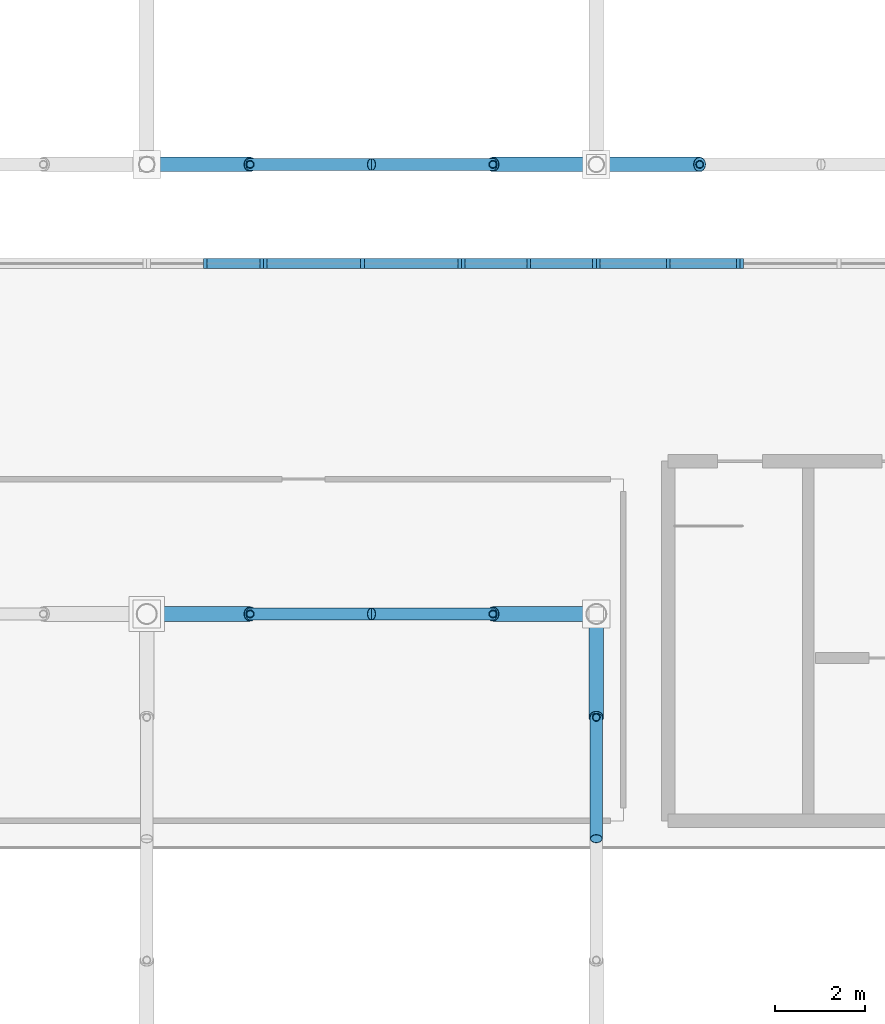
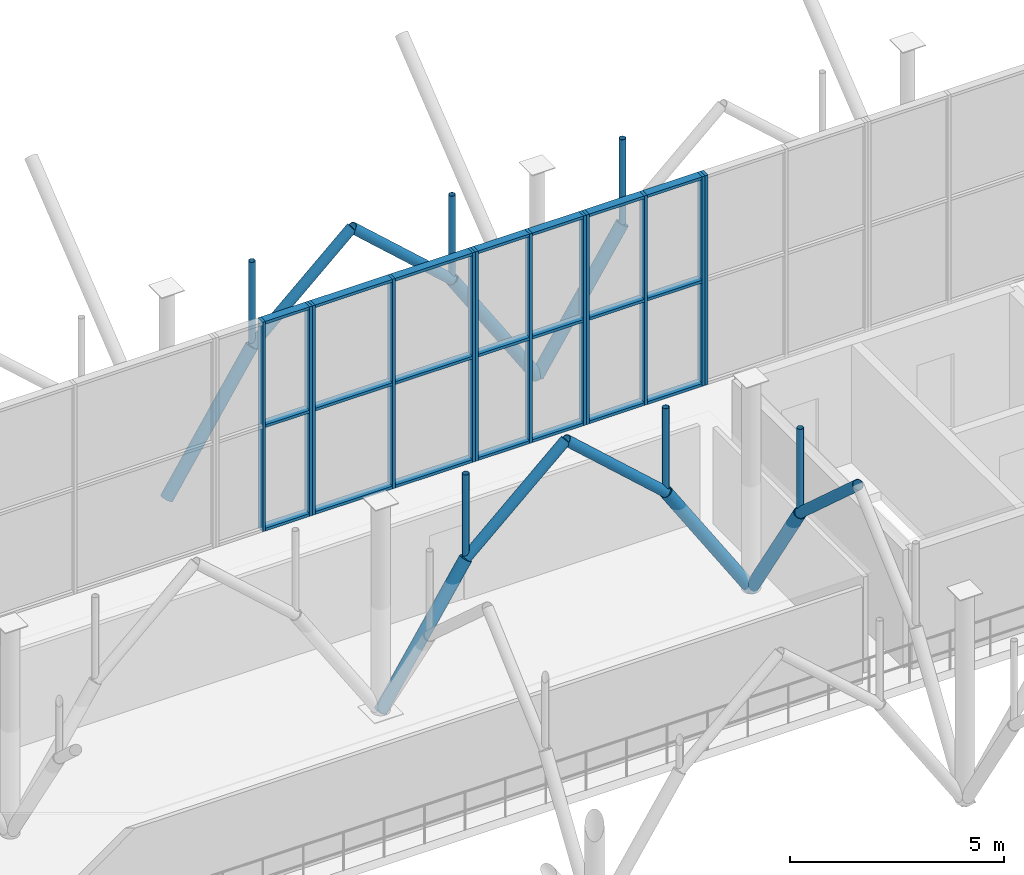
# One storey, part 75 of 109: 50 members, 5 elements without a shape of their own.
"""IFC4 building model written with IfcOpenShell, lengths in metres."""

from ifc_helpers import new_model, si_unit, derived_unit, direction, frame, origin, origin_2d_with_axis, place, context, subcontext, project, spatial, rectangle, hollow_circle, extrude, material, material_profile, profile_set, type_object, element, aggregate, save


model = new_model("IFC4")

# Units and contexts
model_context = context("Model", 3, precision=1e-05, world=origin(), true_north=direction((0.0, 1.0)))
body_context = subcontext(model_context, "Body", "Model", "MODEL_VIEW")
ifc_project = project(units=[si_unit("LENGTHUNIT", "METRE"), si_unit("AREAUNIT", "SQUARE_METRE"), si_unit("VOLUMEUNIT", "CUBIC_METRE"), si_unit("PLANEANGLEUNIT", "RADIAN"), si_unit("MASSUNIT", "GRAM", prefix="KILO"), derived_unit("THERMALTRANSMITTANCEUNIT", [(si_unit("POWERUNIT", "WATT"), 1), (si_unit("LENGTHUNIT", "METRE"), -2), (si_unit("THERMODYNAMICTEMPERATUREUNIT", "KELVIN"), -1)])], contexts=[model_context])

# Site, building, storey
site_placement = place(None, origin())
site = spatial("IfcSite", under=ifc_project, at=site_placement, CompositionType="ELEMENT")
building_placement = place(site_placement, origin())
building = spatial("IfcBuilding", under=site, at=building_placement, Name="Cinnabar Yard Market Hall", CompositionType="ELEMENT")
storey_placement = place(building_placement, frame((0.0, 0.0, 8.39990234375)))
storey = spatial("IfcBuildingStorey", under=building, at=storey_placement, Name="L02", CompositionType="ELEMENT", Elevation=8.39990234375)

# Curtain wall, members
ifc_material_1 = material(Name="Anodised bronze aluminium and low-E glass", Category="aluminium")
curtain_wall_type_1 = type_object("IfcCurtainWallType", Name="CW-CWH026x60", PredefinedType="NOTDEFINED", material=ifc_material_1)
curtain_wall_1_placement = place(storey_placement, origin())
curtain_wall_1 = element("IfcCurtainWall", 1, at=curtain_wall_1_placement, inside=storey, type_object=curtain_wall_type_1, Name="Market Hall North Upper Clerestory B5A", PredefinedType="NOTDEFINED")
ifc_material_2 = material(Name="Anodised bronze aluminium", Category="aluminium")
ifc_material_profile_1 = material_profile(ifc_material_2, rectangle(XDim=0.219970703125, YDim=0.080078125, at=origin_2d_with_axis()), Name="MUL-CWH")
ifc_profile_set_1 = profile_set([ifc_material_profile_1], Name="Anodised bronze aluminium")
member_type_1 = type_object("IfcMemberType", Name="CWM-CWH", PredefinedType="MULLION", material=ifc_profile_set_1)
member_1_placement = place(storey_placement, frame((128.56005859375, 71.800048828125, 0.0), z_axis=(0.0, 0.0, 1.0), x_axis=(0.0, -1.0, 0.0)))
member_1 = element("IfcMember", 2, at=member_1_placement, type_object=member_type_1, Name="CWH026x60 mullion 1", PredefinedType="MULLION", context=body_context, shape_type="SweptSolid", body=[
    extrude(rectangle(XDim=0.219970703125, YDim=0.080078125, at=origin_2d_with_axis()), origin(), (0.0, 0.0, 1.0), 5.97998046875),
])
member_2_placement = place(storey_placement, frame((127.300048828125, 71.800048828125, 0.0), z_axis=(0.0, 0.0, 1.0), x_axis=(0.0, -1.0, 0.0)))
member_2 = element("IfcMember", 3, at=member_2_placement, type_object=member_type_1, Name="CWH026x60 mullion 2", PredefinedType="MULLION", context=body_context, shape_type="SweptSolid", body=[
    extrude(rectangle(XDim=0.219970703125, YDim=0.080078125, at=origin_2d_with_axis()), origin(), (0.0, 0.0, 1.0), 5.97998046875),
])

curtain_wall_type_2 = type_object("IfcCurtainWallType", Name="CW-CWH044x60", PredefinedType="NOTDEFINED", material=ifc_material_1)
curtain_wall_2_placement = place(storey_placement, origin())
curtain_wall_2 = element("IfcCurtainWall", 4, at=curtain_wall_2_placement, inside=storey, type_object=curtain_wall_type_2, Name="Market Hall North Upper Clerestory PTB5", PredefinedType="NOTDEFINED")
member_3_placement = place(storey_placement, frame((132.9599609375, 71.800048828125, 0.0), z_axis=(0.0, 0.0, 1.0), x_axis=(0.0, -1.0, 0.0)))
member_3 = element("IfcMember", 5, at=member_3_placement, type_object=member_type_1, Name="CWH044x60 mullion 1", PredefinedType="MULLION", context=body_context, shape_type="SweptSolid", body=[
    extrude(rectangle(XDim=0.219970703125, YDim=0.080078125, at=origin_2d_with_axis()), origin(), (0.0, 0.0, 1.0), 5.97998046875),
])
member_4_placement = place(storey_placement, frame((130.800048828125, 71.800048828125, 0.0), z_axis=(0.0, 0.0, 1.0), x_axis=(0.0, -1.0, 0.0)))
member_4 = element("IfcMember", 6, at=member_4_placement, type_object=member_type_1, Name="CWH044x60 mullion 2", PredefinedType="MULLION", context=body_context, shape_type="SweptSolid", body=[
    extrude(rectangle(XDim=0.219970703125, YDim=0.080078125, at=origin_2d_with_axis()), origin(), (0.0, 0.0, 1.0), 5.97998046875),
])
member_5_placement = place(storey_placement, frame((128.639892578125, 71.800048828125, 0.0), z_axis=(0.0, 0.0, 1.0), x_axis=(0.0, -1.0, 0.0)))
member_5 = element("IfcMember", 7, at=member_5_placement, type_object=member_type_1, Name="CWH044x60 mullion 3", PredefinedType="MULLION", context=body_context, shape_type="SweptSolid", body=[
    extrude(rectangle(XDim=0.219970703125, YDim=0.080078125, at=origin_2d_with_axis()), origin(), (0.0, 0.0, 1.0), 5.97998046875),
])

curtain_wall_type_3 = type_object("IfcCurtainWallType", Name="CW-CWH030x60", PredefinedType="NOTDEFINED", material=ifc_material_1)
curtain_wall_3_placement = place(storey_placement, origin())
curtain_wall_3 = element("IfcCurtainWall", 8, at=curtain_wall_3_placement, inside=storey, type_object=curtain_wall_type_3, Name="Market Hall North Upper Clerestory B5B", PredefinedType="NOTDEFINED")
member_6_placement = place(storey_placement, frame((135.9599609375, 71.800048828125, 0.0), z_axis=(0.0, 0.0, 1.0), x_axis=(0.0, -1.0, 0.0)))
member_6 = element("IfcMember", 9, at=member_6_placement, type_object=member_type_1, Name="CWH030x60 mullion 1", PredefinedType="MULLION", context=body_context, shape_type="SweptSolid", body=[
    extrude(rectangle(XDim=0.219970703125, YDim=0.080078125, at=origin_2d_with_axis()), origin(), (0.0, 0.0, 1.0), 5.97998046875),
])
member_7_placement = place(storey_placement, frame((134.5, 71.800048828125, 0.0), z_axis=(0.0, 0.0, 1.0), x_axis=(0.0, -1.0, 0.0)))
member_7 = element("IfcMember", 10, at=member_7_placement, type_object=member_type_1, Name="CWH030x60 mullion 2", PredefinedType="MULLION", context=body_context, shape_type="SweptSolid", body=[
    extrude(rectangle(XDim=0.219970703125, YDim=0.080078125, at=origin_2d_with_axis()), origin(), (0.0, 0.0, 1.0), 5.97998046875),
])
member_8_placement = place(storey_placement, frame((133.0400390625, 71.800048828125, 0.0), z_axis=(0.0, 0.0, 1.0), x_axis=(0.0, -1.0, 0.0)))
member_8 = element("IfcMember", 11, at=member_8_placement, type_object=member_type_1, Name="CWH030x60 mullion 3", PredefinedType="MULLION", context=body_context, shape_type="SweptSolid", body=[
    extrude(rectangle(XDim=0.219970703125, YDim=0.080078125, at=origin_2d_with_axis()), origin(), (0.0, 0.0, 1.0), 5.97998046875),
])

curtain_wall_type_4 = type_object("IfcCurtainWallType", Name="CW-CWH032x60", PredefinedType="NOTDEFINED", material=ifc_material_1)
curtain_wall_4_placement = place(storey_placement, origin())
curtain_wall_4 = element("IfcCurtainWall", 12, at=curtain_wall_4_placement, inside=storey, type_object=curtain_wall_type_4, Name="Market Hall North Upper Clerestory B6A", PredefinedType="NOTDEFINED")
member_9_placement = place(storey_placement, frame((139.159912109375, 71.800048828125, 0.0), z_axis=(0.0, 0.0, 1.0), x_axis=(0.0, -1.0, 0.0)))
member_9 = element("IfcMember", 13, at=member_9_placement, type_object=member_type_1, Name="CWH032x60 mullion 1", PredefinedType="MULLION", context=body_context, shape_type="SweptSolid", body=[
    extrude(rectangle(XDim=0.219970703125, YDim=0.080078125, at=origin_2d_with_axis()), origin(), (0.0, 0.0, 1.0), 5.97998046875),
])
member_10_placement = place(storey_placement, frame((137.60009765625, 71.800048828125, 0.0), z_axis=(0.0, 0.0, 1.0), x_axis=(0.0, -1.0, 0.0)))
member_10 = element("IfcMember", 14, at=member_10_placement, type_object=member_type_1, Name="CWH032x60 mullion 2", PredefinedType="MULLION", context=body_context, shape_type="SweptSolid", body=[
    extrude(rectangle(XDim=0.219970703125, YDim=0.080078125, at=origin_2d_with_axis()), origin(), (0.0, 0.0, 1.0), 5.97998046875),
])
member_11_placement = place(storey_placement, frame((136.0400390625, 71.800048828125, 0.0), z_axis=(0.0, 0.0, 1.0), x_axis=(0.0, -1.0, 0.0)))
member_11 = element("IfcMember", 15, at=member_11_placement, type_object=member_type_1, Name="CWH032x60 mullion 3", PredefinedType="MULLION", context=body_context, shape_type="SweptSolid", body=[
    extrude(rectangle(XDim=0.219970703125, YDim=0.080078125, at=origin_2d_with_axis()), origin(), (0.0, 0.0, 1.0), 5.97998046875),
])

# Curtain wall, member
curtain_wall_5_placement = place(storey_placement, origin())
curtain_wall_5 = element("IfcCurtainWall", 16, at=curtain_wall_5_placement, inside=storey, type_object=curtain_wall_type_2, Name="Market Hall North Upper Clerestory PTE", PredefinedType="NOTDEFINED")
member_12_placement = place(storey_placement, frame((139.239990234375, 71.800048828125, 0.0), z_axis=(0.0, 0.0, 1.0), x_axis=(0.0, -1.0, 0.0)))
member_12 = element("IfcMember", 17, at=member_12_placement, type_object=member_type_1, Name="CWH044x60 mullion 3", PredefinedType="MULLION", context=body_context, shape_type="SweptSolid", body=[
    extrude(rectangle(XDim=0.219970703125, YDim=0.080078125, at=origin_2d_with_axis()), origin(), (0.0, 0.0, 1.0), 5.97998046875),
])
aggregate(curtain_wall_5, [member_12])

# Member
ifc_material_profile_2 = material_profile(ifc_material_2, rectangle(XDim=0.219970703125, YDim=0.080078125, at=origin_2d_with_axis()), Name="TRN-CWH")
ifc_profile_set_2 = profile_set([ifc_material_profile_2], Name="Anodised bronze aluminium")
member_type_2 = type_object("IfcMemberType", Name="CWT-CWH", PredefinedType="USERDEFINED", material=ifc_profile_set_2)
member_13_placement = place(storey_placement, frame((128.52001953125, 71.800048828125, 0.0400390625), z_axis=(-1.0, 0.0, 0.0), x_axis=(0.0, -1.0, 0.0)))
member_13 = element("IfcMember", 18, at=member_13_placement, type_object=member_type_2, Name="CWH026x60 transom 1.1", ObjectType="TRANSOM", PredefinedType="USERDEFINED", context=body_context, shape_type="SweptSolid", body=[
    extrude(rectangle(XDim=0.219970703125, YDim=0.080078125, at=origin_2d_with_axis()), origin(), (0.0, 0.0, 1.0), 1.179931640625),
])

member_14_placement = place(storey_placement, frame((128.52001953125, 71.800048828125, 2.989990234375), z_axis=(-1.0, 0.0, 0.0), x_axis=(0.0, -1.0, 0.0)))
member_14 = element("IfcMember", 19, at=member_14_placement, type_object=member_type_2, Name="CWH026x60 transom 1.2", ObjectType="TRANSOM", PredefinedType="USERDEFINED", context=body_context, shape_type="SweptSolid", body=[
    extrude(rectangle(XDim=0.219970703125, YDim=0.080078125, at=origin_2d_with_axis()), origin(), (0.0, 0.0, 1.0), 1.179931640625),
])

member_15_placement = place(storey_placement, frame((128.52001953125, 71.800048828125, 5.940185546875), z_axis=(-1.0, 0.0, 0.0), x_axis=(0.0, -1.0, 0.0)))
member_15 = element("IfcMember", 20, at=member_15_placement, type_object=member_type_2, Name="CWH026x60 transom 1.3", ObjectType="TRANSOM", PredefinedType="USERDEFINED", context=body_context, shape_type="SweptSolid", body=[
    extrude(rectangle(XDim=0.219970703125, YDim=0.080078125, at=origin_2d_with_axis()), origin(), (0.0, 0.0, 1.0), 1.179931640625),
])

aggregate(curtain_wall_1, [member_1, member_2, member_13, member_14, member_15])

member_16_placement = place(storey_placement, frame((132.919921875, 71.800048828125, 0.0400390625), z_axis=(-1.0, 0.0, 0.0), x_axis=(0.0, -1.0, 0.0)))
member_16 = element("IfcMember", 21, at=member_16_placement, type_object=member_type_2, Name="CWH044x60 transom 1.1", ObjectType="TRANSOM", PredefinedType="USERDEFINED", context=body_context, shape_type="SweptSolid", body=[
    extrude(rectangle(XDim=0.219970703125, YDim=0.080078125, at=origin_2d_with_axis()), origin(), (0.0, 0.0, 1.0), 2.079833984375),
])

member_17_placement = place(storey_placement, frame((132.919921875, 71.800048828125, 2.989990234375), z_axis=(-1.0, 0.0, 0.0), x_axis=(0.0, -1.0, 0.0)))
member_17 = element("IfcMember", 22, at=member_17_placement, type_object=member_type_2, Name="CWH044x60 transom 1.2", ObjectType="TRANSOM", PredefinedType="USERDEFINED", context=body_context, shape_type="SweptSolid", body=[
    extrude(rectangle(XDim=0.219970703125, YDim=0.080078125, at=origin_2d_with_axis()), origin(), (0.0, 0.0, 1.0), 2.079833984375),
])

member_18_placement = place(storey_placement, frame((132.919921875, 71.800048828125, 5.940185546875), z_axis=(-1.0, 0.0, 0.0), x_axis=(0.0, -1.0, 0.0)))
member_18 = element("IfcMember", 23, at=member_18_placement, type_object=member_type_2, Name="CWH044x60 transom 1.3", ObjectType="TRANSOM", PredefinedType="USERDEFINED", context=body_context, shape_type="SweptSolid", body=[
    extrude(rectangle(XDim=0.219970703125, YDim=0.080078125, at=origin_2d_with_axis()), origin(), (0.0, 0.0, 1.0), 2.079833984375),
])

member_19_placement = place(storey_placement, frame((130.760009765625, 71.800048828125, 0.0400390625), z_axis=(-1.0, 0.0, 0.0), x_axis=(0.0, -1.0, 0.0)))
member_19 = element("IfcMember", 24, at=member_19_placement, type_object=member_type_2, Name="CWH044x60 transom 2.1", ObjectType="TRANSOM", PredefinedType="USERDEFINED", context=body_context, shape_type="SweptSolid", body=[
    extrude(rectangle(XDim=0.219970703125, YDim=0.080078125, at=origin_2d_with_axis()), origin(), (0.0, 0.0, 1.0), 2.080078125),
])

member_20_placement = place(storey_placement, frame((130.760009765625, 71.800048828125, 2.989990234375), z_axis=(-1.0, 0.0, 0.0), x_axis=(0.0, -1.0, 0.0)))
member_20 = element("IfcMember", 25, at=member_20_placement, type_object=member_type_2, Name="CWH044x60 transom 2.2", ObjectType="TRANSOM", PredefinedType="USERDEFINED", context=body_context, shape_type="SweptSolid", body=[
    extrude(rectangle(XDim=0.219970703125, YDim=0.080078125, at=origin_2d_with_axis()), origin(), (0.0, 0.0, 1.0), 2.080078125),
])

member_21_placement = place(storey_placement, frame((130.760009765625, 71.800048828125, 5.940185546875), z_axis=(-1.0, 0.0, 0.0), x_axis=(0.0, -1.0, 0.0)))
member_21 = element("IfcMember", 26, at=member_21_placement, type_object=member_type_2, Name="CWH044x60 transom 2.3", ObjectType="TRANSOM", PredefinedType="USERDEFINED", context=body_context, shape_type="SweptSolid", body=[
    extrude(rectangle(XDim=0.219970703125, YDim=0.080078125, at=origin_2d_with_axis()), origin(), (0.0, 0.0, 1.0), 2.080078125),
])

aggregate(curtain_wall_2, [member_3, member_4, member_5, member_16, member_17, member_18, member_19, member_20, member_21])

member_22_placement = place(storey_placement, frame((135.919921875, 71.800048828125, 0.0400390625), z_axis=(-1.0, 0.0, 0.0), x_axis=(0.0, -1.0, 0.0)))
member_22 = element("IfcMember", 27, at=member_22_placement, type_object=member_type_2, Name="CWH030x60 transom 1.1", ObjectType="TRANSOM", PredefinedType="USERDEFINED", context=body_context, shape_type="SweptSolid", body=[
    extrude(rectangle(XDim=0.219970703125, YDim=0.080078125, at=origin_2d_with_axis()), origin(), (0.0, 0.0, 1.0), 1.3798828125),
])

member_23_placement = place(storey_placement, frame((135.919921875, 71.800048828125, 2.989990234375), z_axis=(-1.0, 0.0, 0.0), x_axis=(0.0, -1.0, 0.0)))
member_23 = element("IfcMember", 28, at=member_23_placement, type_object=member_type_2, Name="CWH030x60 transom 1.2", ObjectType="TRANSOM", PredefinedType="USERDEFINED", context=body_context, shape_type="SweptSolid", body=[
    extrude(rectangle(XDim=0.219970703125, YDim=0.080078125, at=origin_2d_with_axis()), origin(), (0.0, 0.0, 1.0), 1.3798828125),
])

member_24_placement = place(storey_placement, frame((135.919921875, 71.800048828125, 5.940185546875), z_axis=(-1.0, 0.0, 0.0), x_axis=(0.0, -1.0, 0.0)))
member_24 = element("IfcMember", 29, at=member_24_placement, type_object=member_type_2, Name="CWH030x60 transom 1.3", ObjectType="TRANSOM", PredefinedType="USERDEFINED", context=body_context, shape_type="SweptSolid", body=[
    extrude(rectangle(XDim=0.219970703125, YDim=0.080078125, at=origin_2d_with_axis()), origin(), (0.0, 0.0, 1.0), 1.3798828125),
])

member_25_placement = place(storey_placement, frame((134.4599609375, 71.800048828125, 0.0400390625), z_axis=(-1.0, 0.0, 0.0), x_axis=(0.0, -1.0, 0.0)))
member_25 = element("IfcMember", 30, at=member_25_placement, type_object=member_type_2, Name="CWH030x60 transom 2.1", ObjectType="TRANSOM", PredefinedType="USERDEFINED", context=body_context, shape_type="SweptSolid", body=[
    extrude(rectangle(XDim=0.219970703125, YDim=0.080078125, at=origin_2d_with_axis()), origin(), (0.0, 0.0, 1.0), 1.3798828125),
])

member_26_placement = place(storey_placement, frame((134.4599609375, 71.800048828125, 2.989990234375), z_axis=(-1.0, 0.0, 0.0), x_axis=(0.0, -1.0, 0.0)))
member_26 = element("IfcMember", 31, at=member_26_placement, type_object=member_type_2, Name="CWH030x60 transom 2.2", ObjectType="TRANSOM", PredefinedType="USERDEFINED", context=body_context, shape_type="SweptSolid", body=[
    extrude(rectangle(XDim=0.219970703125, YDim=0.080078125, at=origin_2d_with_axis()), origin(), (0.0, 0.0, 1.0), 1.3798828125),
])

member_27_placement = place(storey_placement, frame((134.4599609375, 71.800048828125, 5.940185546875), z_axis=(-1.0, 0.0, 0.0), x_axis=(0.0, -1.0, 0.0)))
member_27 = element("IfcMember", 32, at=member_27_placement, type_object=member_type_2, Name="CWH030x60 transom 2.3", ObjectType="TRANSOM", PredefinedType="USERDEFINED", context=body_context, shape_type="SweptSolid", body=[
    extrude(rectangle(XDim=0.219970703125, YDim=0.080078125, at=origin_2d_with_axis()), origin(), (0.0, 0.0, 1.0), 1.3798828125),
])

aggregate(curtain_wall_3, [member_6, member_7, member_8, member_22, member_23, member_24, member_25, member_26, member_27])

member_28_placement = place(storey_placement, frame((139.1201171875, 71.800048828125, 0.0400390625), z_axis=(-1.0, 0.0, 0.0), x_axis=(0.0, -1.0, 0.0)))
member_28 = element("IfcMember", 33, at=member_28_placement, type_object=member_type_2, Name="CWH032x60 transom 1.1", ObjectType="TRANSOM", PredefinedType="USERDEFINED", context=body_context, shape_type="SweptSolid", body=[
    extrude(rectangle(XDim=0.219970703125, YDim=0.080078125, at=origin_2d_with_axis()), origin(), (0.0, 0.0, 1.0), 1.480224609375),
])

member_29_placement = place(storey_placement, frame((139.1201171875, 71.800048828125, 2.989990234375), z_axis=(-1.0, 0.0, 0.0), x_axis=(0.0, -1.0, 0.0)))
member_29 = element("IfcMember", 34, at=member_29_placement, type_object=member_type_2, Name="CWH032x60 transom 1.2", ObjectType="TRANSOM", PredefinedType="USERDEFINED", context=body_context, shape_type="SweptSolid", body=[
    extrude(rectangle(XDim=0.219970703125, YDim=0.080078125, at=origin_2d_with_axis()), origin(), (0.0, 0.0, 1.0), 1.480224609375),
])

member_30_placement = place(storey_placement, frame((139.1201171875, 71.800048828125, 5.940185546875), z_axis=(-1.0, 0.0, 0.0), x_axis=(0.0, -1.0, 0.0)))
member_30 = element("IfcMember", 35, at=member_30_placement, type_object=member_type_2, Name="CWH032x60 transom 1.3", ObjectType="TRANSOM", PredefinedType="USERDEFINED", context=body_context, shape_type="SweptSolid", body=[
    extrude(rectangle(XDim=0.219970703125, YDim=0.080078125, at=origin_2d_with_axis()), origin(), (0.0, 0.0, 1.0), 1.480224609375),
])

member_31_placement = place(storey_placement, frame((137.56005859375, 71.800048828125, 0.0400390625), z_axis=(-1.0, 0.0, 0.0), x_axis=(0.0, -1.0, 0.0)))
member_31 = element("IfcMember", 36, at=member_31_placement, type_object=member_type_2, Name="CWH032x60 transom 2.1", ObjectType="TRANSOM", PredefinedType="USERDEFINED", context=body_context, shape_type="SweptSolid", body=[
    extrude(rectangle(XDim=0.219970703125, YDim=0.080078125, at=origin_2d_with_axis()), origin(), (0.0, 0.0, 1.0), 1.47998046875),
])

member_32_placement = place(storey_placement, frame((137.56005859375, 71.800048828125, 2.989990234375), z_axis=(-1.0, 0.0, 0.0), x_axis=(0.0, -1.0, 0.0)))
member_32 = element("IfcMember", 37, at=member_32_placement, type_object=member_type_2, Name="CWH032x60 transom 2.2", ObjectType="TRANSOM", PredefinedType="USERDEFINED", context=body_context, shape_type="SweptSolid", body=[
    extrude(rectangle(XDim=0.219970703125, YDim=0.080078125, at=origin_2d_with_axis()), origin(), (0.0, 0.0, 1.0), 1.47998046875),
])

member_33_placement = place(storey_placement, frame((137.56005859375, 71.800048828125, 5.940185546875), z_axis=(-1.0, 0.0, 0.0), x_axis=(0.0, -1.0, 0.0)))
member_33 = element("IfcMember", 38, at=member_33_placement, type_object=member_type_2, Name="CWH032x60 transom 2.3", ObjectType="TRANSOM", PredefinedType="USERDEFINED", context=body_context, shape_type="SweptSolid", body=[
    extrude(rectangle(XDim=0.219970703125, YDim=0.080078125, at=origin_2d_with_axis()), origin(), (0.0, 0.0, 1.0), 1.47998046875),
])

aggregate(curtain_wall_4, [member_9, member_10, member_11, member_28, member_29, member_30, member_31, member_32, member_33])

# Members
ifc_material_3 = material(Name="Spotted-gum glulam-clad steel Grade 350 (350 MPa)", Category="steel")
ifc_material_profile_3 = material_profile(ifc_material_3, hollow_circle(Radius=0.136474609375, WallThickness=0.00927734375, at=origin_2d_with_axis()), Name="273.1x9.3CHS")
ifc_profile_set_3 = profile_set([ifc_material_profile_3], Name="Spotted-gum glulam-clad steel Grade 350 (350 MPa)")
member_type_3 = type_object("IfcMemberType", Name="MB-AR01", PredefinedType="USERDEFINED", material=ifc_profile_set_3)
for number, where, z_axis, x_axis, name in (
    (39, (128.300048828125, 64.0, 3.550048828125), (0.743297488271, 0.0, 0.668961018244), (0.0, 1.0, 0.0), "Pointed Arch Rib 0097"),
    (40, (133.699951171875, 64.0, 3.550048828125), (-0.743297488271, 0.0, 0.668961018244), (0.0, -1.0, 0.0), "Pointed Arch Rib 0114"),
    (41, (136.0, 61.699951171875, 3.550048828125), (0.0, -0.743297488271, 0.668961018244), (1.0, 0.0, 0.0), "Pointed Arch Rib 0115"),
):
    element("IfcMember", number, at=place(storey_placement, frame(where, z_axis=z_axis, x_axis=x_axis)), inside=storey, type_object=member_type_3, Name=name, ObjectType="ARCH RIB", PredefinedType="USERDEFINED", context=body_context, shape_type="SweptSolid", body=[
        extrude(hollow_circle(Radius=0.136474609375, WallThickness=0.00927734375, at=origin_2d_with_axis()), origin(), (0.0, 0.0, 1.0), 3.63232421875),
    ])
ifc_material_profile_4 = material_profile(ifc_material_3, hollow_circle(Radius=0.136474609375, WallThickness=0.00927734375, at=origin_2d_with_axis()), Name="273.1x9.3CHS")
ifc_profile_set_4 = profile_set([ifc_material_profile_4], Name="Spotted-gum glulam-clad steel Grade 350 (350 MPa)")
member_type_4 = type_object("IfcMemberType", Name="MB-AR01E", PredefinedType="USERDEFINED", material=ifc_profile_set_4)
for number, where, z_axis, x_axis, name in (
    (42, (128.300048828125, 74.0, 3.550048828125), (0.743297488271, 0.0, 0.668961018244), (0.0, 1.0, 0.0), "Pointed Arch Rib 0161"),
    (43, (133.699951171875, 74.0, 3.550048828125), (-0.743297488271, 0.0, 0.668961018244), (0.0, -1.0, 0.0), "Pointed Arch Rib 0166"),
):
    element("IfcMember", number, at=place(storey_placement, frame(where, z_axis=z_axis, x_axis=x_axis)), inside=storey, type_object=member_type_4, Name=name, ObjectType="ARCH RIB", PredefinedType="USERDEFINED", context=body_context, shape_type="SweptSolid", body=[
        extrude(hollow_circle(Radius=0.136474609375, WallThickness=0.00927734375, at=origin_2d_with_axis()), origin(), (0.0, 0.0, 1.0), 3.63232421875),
    ])
ifc_material_profile_5 = material_profile(ifc_material_3, hollow_circle(Radius=0.161865234375, WallThickness=0.009521484375, at=origin_2d_with_axis()), Name="323.9x9.5CHS")
ifc_profile_set_5 = profile_set([ifc_material_profile_5], Name="Spotted-gum glulam-clad steel Grade 350 (350 MPa)")
member_type_5 = type_object("IfcMemberType", Name="MB-ST01", PredefinedType="STRUT", material=ifc_profile_set_5)
for number, where, z_axis, x_axis, name in (
    (44, (126.0, 64.0, 0.0), (0.543744165176, 0.0, 0.839251024925), (0.0, 1.0, 0.0), "Curved Branch Arm Lower 0097"),
    (45, (136.0, 64.0, 0.0), (-0.543744165176, 0.0, 0.839251024925), (0.0, -1.0, 0.0), "Curved Branch Arm Lower 0114"),
    (46, (136.0, 64.0, 0.0), (0.0, -0.543744165176, 0.839251024925), (1.0, 0.0, 0.0), "Curved Branch Arm Lower 0115"),
):
    element("IfcMember", number, at=place(storey_placement, frame(where, z_axis=z_axis, x_axis=x_axis)), inside=storey, type_object=member_type_5, Name=name, PredefinedType="STRUT", context=body_context, shape_type="SweptSolid", body=[
        extrude(hollow_circle(Radius=0.161865234375, WallThickness=0.009521484375, at=origin_2d_with_axis()), origin(), (0.0, 0.0, 1.0), 4.22998046875),
    ])
ifc_material_profile_6 = material_profile(ifc_material_3, hollow_circle(Radius=0.161865234375, WallThickness=0.009521484375, at=origin_2d_with_axis()), Name="323.9x9.5CHS")
ifc_profile_set_6 = profile_set([ifc_material_profile_6], Name="Spotted-gum glulam-clad steel Grade 350 (350 MPa)")
member_type_6 = type_object("IfcMemberType", Name="MB-ST01E", PredefinedType="STRUT", material=ifc_profile_set_6)
for number, where, z_axis, x_axis, name in (
    (47, (126.0, 74.0, 0.0), (0.543744165176, 0.0, 0.839251024925), (0.0, 1.0, 0.0), "Curved Branch Arm Lower 0161"),
    (48, (136.0, 74.0, 0.0), (0.543744165176, 0.0, 0.839251024925), (0.0, 1.0, 0.0), "Curved Branch Arm Lower 0165"),
    (49, (136.0, 74.0, 0.0), (-0.543744165176, 0.0, 0.839251024925), (0.0, -1.0, 0.0), "Curved Branch Arm Lower 0166"),
):
    element("IfcMember", number, at=place(storey_placement, frame(where, z_axis=z_axis, x_axis=x_axis)), inside=storey, type_object=member_type_6, Name=name, PredefinedType="STRUT", context=body_context, shape_type="SweptSolid", body=[
        extrude(hollow_circle(Radius=0.161865234375, WallThickness=0.009521484375, at=origin_2d_with_axis()), origin(), (0.0, 0.0, 1.0), 4.22998046875),
    ])
ifc_material_4 = material(Name="Cold-formed steel C350L0", Category="steel")
ifc_material_profile_7 = material_profile(ifc_material_4, hollow_circle(Radius=0.084228515625, WallThickness=0.00634765625, at=origin_2d_with_axis()), Name="168.3x6.4CHS")
ifc_profile_set_7 = profile_set([ifc_material_profile_7], Name="Cold-formed steel C350L0")
member_type_7 = type_object("IfcMemberType", Name="MB-WB01", PredefinedType="STRUT", material=ifc_profile_set_7)
for number, where, z_axis, x_axis, name in (
    (50, (128.300048828125, 64.0, 3.550048828125), (0.0, 0.0, 1.0), (1.0, 0.0, 0.0), "Arch Spandrel Post 0097"),
    (51, (133.699951171875, 64.0, 3.550048828125), (0.0, 0.0, 1.0), (1.0, 0.0, 0.0), "Arch Spandrel Post 0114"),
    (52, (136.0, 61.699951171875, 3.550048828125), (0.0, 0.0, 1.0), (1.0, 0.0, 0.0), "Arch Spandrel Post 0115"),
):
    element("IfcMember", number, at=place(storey_placement, frame(where, z_axis=z_axis, x_axis=x_axis)), inside=storey, type_object=member_type_7, Name=name, PredefinedType="STRUT", context=body_context, shape_type="SweptSolid", body=[
        extrude(hollow_circle(Radius=0.084228515625, WallThickness=0.00634765625, at=origin_2d_with_axis()), origin(), (0.0, 0.0, 1.0), 2.429931640625),
    ])
ifc_material_profile_8 = material_profile(ifc_material_4, hollow_circle(Radius=0.084228515625, WallThickness=0.00634765625, at=origin_2d_with_axis()), Name="168.3x6.4CHS")
ifc_profile_set_8 = profile_set([ifc_material_profile_8], Name="Cold-formed steel C350L0")
member_type_8 = type_object("IfcMemberType", Name="MB-WB01E", PredefinedType="STRUT", material=ifc_profile_set_8)
for number, where, z_axis, x_axis, name in (
    (53, (128.300048828125, 74.0, 3.550048828125), (0.0, 0.0, 1.0), (1.0, 0.0, 0.0), "Arch Spandrel Post 0161"),
    (54, (138.300048828125, 74.0, 3.550048828125), (0.0, 0.0, 1.0), (1.0, 0.0, 0.0), "Arch Spandrel Post 0165"),
    (55, (133.699951171875, 74.0, 3.550048828125), (0.0, 0.0, 1.0), (1.0, 0.0, 0.0), "Arch Spandrel Post 0166"),
):
    element("IfcMember", number, at=place(storey_placement, frame(where, z_axis=z_axis, x_axis=x_axis)), inside=storey, type_object=member_type_8, Name=name, PredefinedType="STRUT", context=body_context, shape_type="SweptSolid", body=[
        extrude(hollow_circle(Radius=0.084228515625, WallThickness=0.00634765625, at=origin_2d_with_axis()), origin(), (0.0, 0.0, 1.0), 2.429931640625),
    ])

save(model, "model.ifc")
